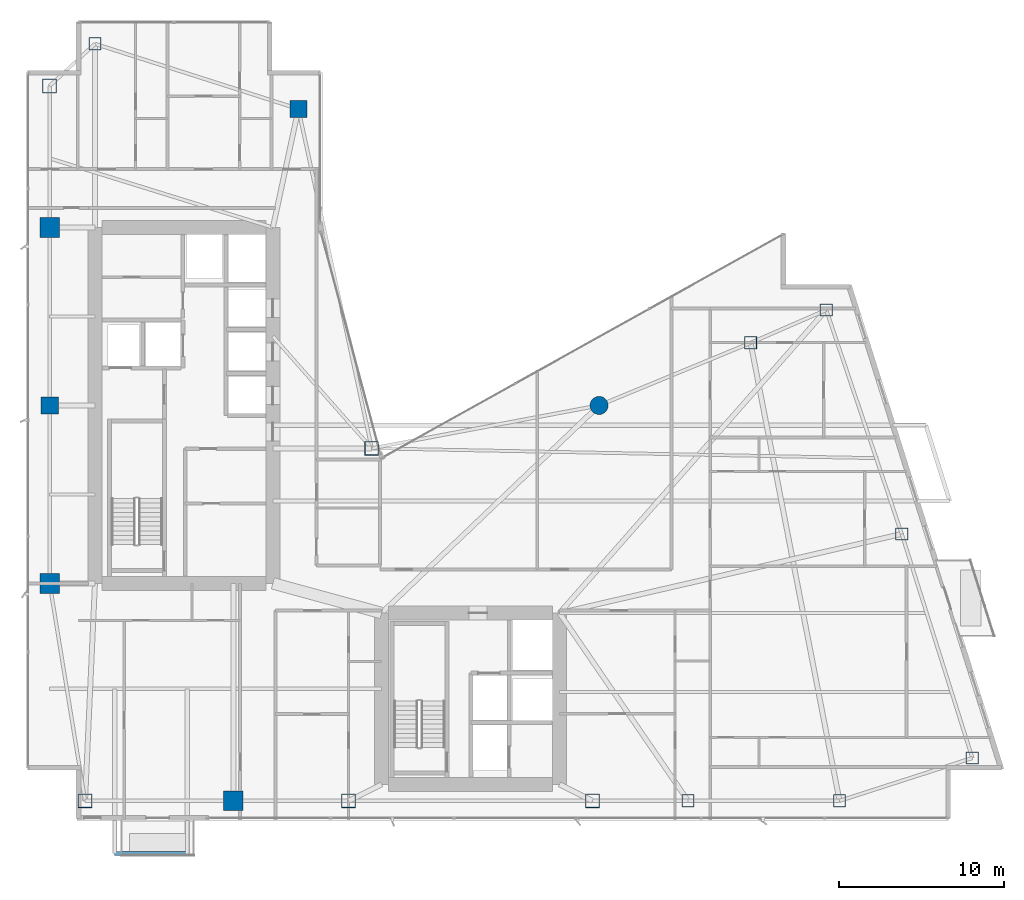
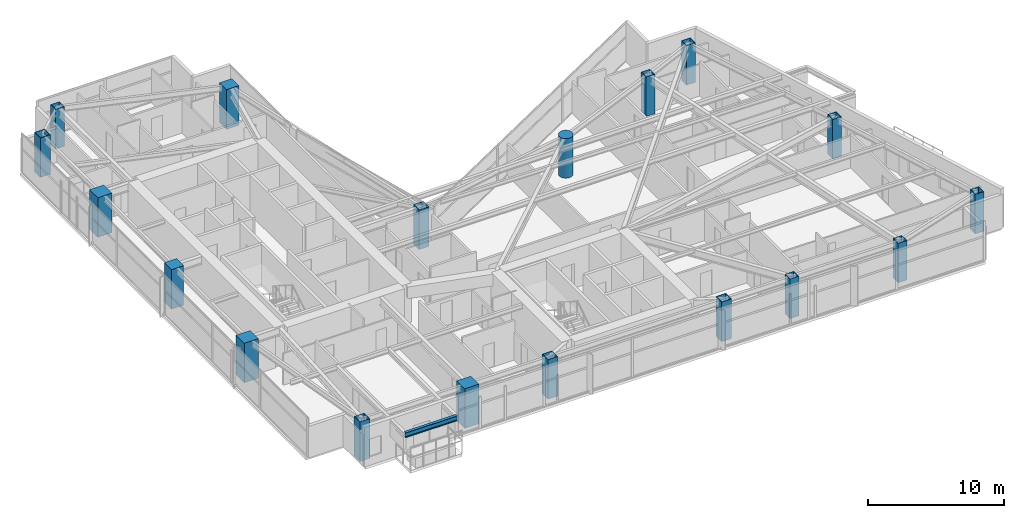
# One storey, part 1 of 28: 18 columns, 1 beam.
"""IFC4 building model written with IfcOpenShell, lengths in metres."""

from ifc_helpers import new_model, si_unit, direction, frame, origin, origin_2d, place, context, subcontext, project, spatial, rectangle, hollow_rectangle, circle, i_section, extrude, material, material_profile, profile_set, type_object, element, save


model = new_model("IFC4")

# Units and contexts
model_context = context("Model", 3, precision=1e-05, world=origin(), true_north=direction((0.0, 1.0)))
body_context = subcontext(model_context, "Body", "Model", "MODEL_VIEW")
ifc_project = project(units=[si_unit("LENGTHUNIT", "METRE"), si_unit("AREAUNIT", "SQUARE_METRE"), si_unit("VOLUMEUNIT", "CUBIC_METRE"), si_unit("PLANEANGLEUNIT", "RADIAN"), si_unit("MASSUNIT", "GRAM", prefix="KILO")], contexts=[model_context])

# Site, building, storey
site_placement = place(None, origin())
site = spatial("IfcSite", under=ifc_project, at=site_placement, CompositionType="ELEMENT")
building_placement = place(site_placement, origin())
building = spatial("IfcBuilding", under=site, at=building_placement, Name="Calvorn Quay Hotel", CompositionType="ELEMENT")
storey_placement = place(building_placement, frame((0.0, 0.0, 131.60009765625)))
storey = spatial("IfcBuildingStorey", under=building, at=storey_placement, Name="L32", CompositionType="ELEMENT", Elevation=131.60009765625)

# Columns
ifc_material_1 = material(Name="Concrete C50", Category="concrete")
ifc_material_profile_1 = material_profile(ifc_material_1, rectangle(XDim=1.050048828125, YDim=1.050048828125, at=origin_2d()), Name="RC1050x1050")
ifc_profile_set_1 = profile_set([ifc_material_profile_1], Name="Concrete C50")
column_type_1 = type_object("IfcColumnType", Name="COL-RC-1050", PredefinedType="COLUMN", material=ifc_profile_set_1)
for number, where, z_axis, x_axis, name in (
    (1, (1.449951171875, 27.60009765625, 0.0), (0.0, 0.0, 1.0), (1.0, 0.0, 0.0), "Column C-W3 (L32)"),
    (2, (16.550048828125, 45.60009765625, 0.0), (0.0, 0.0, 1.0), (1.0, 0.0, 0.0), "Column C-IC1 (L32)"),
):
    element("IfcColumn", number, at=place(storey_placement, frame(where, z_axis=z_axis, x_axis=x_axis)), inside=storey, type_object=column_type_1, Name=name, PredefinedType="COLUMN", context=body_context, shape_type="SweptSolid", body=[
        extrude(rectangle(XDim=1.050048828125, YDim=1.050048828125, at=origin_2d()), origin(), (0.0, 0.0, 1.0), 3.559814453125),
    ])
ifc_material_2 = material(Name="Concrete C50", Category="concrete")
ifc_material_profile_2 = material_profile(ifc_material_2, rectangle(XDim=1.199951171875, YDim=1.199951171875, at=origin_2d()), Name="RC1200x1200")
ifc_profile_set_2 = profile_set([ifc_material_profile_2], Name="Concrete C50")
column_type_2 = type_object("IfcColumnType", Name="COL-RC-1200", PredefinedType="COLUMN", material=ifc_profile_set_2)
for number, where, z_axis, x_axis, name in (
    (3, (1.449951171875, 16.800048828125, 0.0), (0.0, 0.0, 1.0), (1.0, 0.0, 0.0), "Column C-W2 (L32)"),
    (4, (1.449951171875, 38.39990234375, 0.0), (0.0, 0.0, 1.0), (1.0, 0.0, 0.0), "Column C-W4 (L32)"),
    (5, (12.60009765625, 3.60009765625, 0.0), (0.0, 0.0, 1.0), (1.0, 0.0, 0.0), "Column C-S1 (L32)"),
):
    element("IfcColumn", number, at=place(storey_placement, frame(where, z_axis=z_axis, x_axis=x_axis)), inside=storey, type_object=column_type_2, Name=name, PredefinedType="COLUMN", context=body_context, shape_type="SweptSolid", body=[
        extrude(rectangle(XDim=1.199951171875, YDim=1.199951171875, at=origin_2d()), origin(), (0.0, 0.0, 1.0), 3.559814453125),
    ])
ifc_material_3 = material(Name="Concrete C50", Category="concrete")
ifc_material_profile_3 = material_profile(ifc_material_3, circle(Radius=0.550048828125, at=origin_2d()), Name="RCD1100")
ifc_profile_set_3 = profile_set([ifc_material_profile_3], Name="Concrete C50")
column_type_3 = type_object("IfcColumnType", Name="COL-RC-D1100", PredefinedType="COLUMN", material=ifc_profile_set_3)
column_placement = place(storey_placement, frame((34.800048828125, 27.60009765625, 0.0), z_axis=(0.0, 0.0, 1.0), x_axis=(1.0, 0.0, 0.0)))
element("IfcColumn", 6, at=column_placement, inside=storey, type_object=column_type_3, Name="Column C-NC1 (L32)", PredefinedType="COLUMN", context=body_context, shape_type="SweptSolid", body=[
    extrude(circle(Radius=0.550048828125, at=origin_2d()), origin(), (0.0, 0.0, 1.0), 3.559814453125),
])
ifc_material_4 = material(Name="Steel Q390GJC", Category="steel")
ifc_material_profile_4 = material_profile(ifc_material_4, hollow_rectangle(XDim=0.85009765625, YDim=0.85009765625, WallThickness=0.035888671875, at=origin_2d()), Name="BOX850x850x36")
ifc_profile_set_4 = profile_set([ifc_material_profile_4], Name="Steel Q390GJC")
column_type_4 = type_object("IfcColumnType", Name="COL-STL-Z2", PredefinedType="COLUMN", material=ifc_profile_set_4)
for number, where, z_axis, x_axis, name in (
    (7, (3.60009765625, 3.60009765625, 0.0), (0.0, 0.0, 1.0), (1.0, 0.0, 0.0), "Column C-W1 (L32)"),
    (8, (1.449951171875, 47.0, 0.0), (0.0, 0.0, 1.0), (1.0, 0.0, 0.0), "Column C-W5 (L32)"),
    (9, (21.0, 25.0, 0.0), (0.0, 0.0, 1.0), (1.0, 0.0, 0.0), "Column C-IC2 (L32)"),
    (10, (19.60009765625, 3.60009765625, 0.0), (0.0, 0.0, 1.0), (1.0, 0.0, 0.0), "Column C-S2 (L32)"),
    (11, (34.39990234375, 3.60009765625, 0.0), (0.0, 0.0, 1.0), (1.0, 0.0, 0.0), "Column C-S3 (L32)"),
):
    element("IfcColumn", number, at=place(storey_placement, frame(where, z_axis=z_axis, x_axis=x_axis)), inside=storey, type_object=column_type_4, Name=name, PredefinedType="COLUMN", context=body_context, shape_type="SweptSolid", body=[
        extrude(hollow_rectangle(XDim=0.85009765625, YDim=0.85009765625, WallThickness=0.035888671875, at=origin_2d()), origin(), (0.0, 0.0, 1.0), 3.559814453125),
    ])
ifc_material_5 = material(Name="Steel Q390GJC", Category="steel")
ifc_material_profile_5 = material_profile(ifc_material_5, hollow_rectangle(XDim=0.75, YDim=0.75, WallThickness=0.031982421875, at=origin_2d()), Name="BOX750x750x32")
ifc_profile_set_5 = profile_set([ifc_material_profile_5], Name="Steel Q390GJC")
column_type_5 = type_object("IfcColumnType", Name="COL-STL-Z3", PredefinedType="COLUMN", material=ifc_profile_set_5)
for number, where, z_axis, x_axis, name in (
    (12, (4.199951171875, 49.550048828125, 0.0), (0.0, 0.0, 1.0), (1.0, 0.0, 0.0), "Column C-NW1 (L32)"),
    (13, (40.199951171875, 3.60009765625, 0.0), (0.0, 0.0, 1.0), (1.0, 0.0, 0.0), "Column C-S4 (L32)"),
    (14, (49.39990234375, 3.60009765625, 0.0), (0.0, 0.0, 1.0), (1.0, 0.0, 0.0), "Column C-S5 (L32)"),
    (15, (44.0, 31.39990234375, 0.0), (0.0, 0.0, 1.0), (1.0, 0.0, 0.0), "Column C-NC2 (L32)"),
    (16, (57.4609375, 6.199951171875, 0.0), (0.0, 0.0, 1.0), (1.0, 0.0, 0.0), "Column C-ET1 (L32)"),
    (17, (53.176025390625, 19.800048828125, 0.0), (0.0, 0.0, 1.0), (1.0, 0.0, 0.0), "Column C-ET2 (L32)"),
    (18, (48.591064453125, 33.39990234375, 0.0), (0.0, 0.0, 1.0), (1.0, 0.0, 0.0), "Column C-ET3 (L32)"),
):
    element("IfcColumn", number, at=place(storey_placement, frame(where, z_axis=z_axis, x_axis=x_axis)), inside=storey, type_object=column_type_5, Name=name, PredefinedType="COLUMN", context=body_context, shape_type="SweptSolid", body=[
        extrude(hollow_rectangle(XDim=0.75, YDim=0.75, WallThickness=0.031982421875, at=origin_2d()), origin(), (0.0, 0.0, 1.0), 3.559814453125),
    ])

# Beam
ifc_material_6 = material(Name="Steel Q355B", Category="steel")
ifc_material_profile_6 = material_profile(ifc_material_6, i_section(OverallWidth=0.25, OverallDepth=0.449951171875, WebThickness=0.011962890625, FlangeThickness=0.01611328125, FilletRadius=0.01611328125, at=origin_2d()), Name="HN450x250x12x16")
ifc_profile_set_6 = profile_set([ifc_material_profile_6], Name="Steel Q355B")
beam_type = type_object("IfcBeamType", Name="BM-CANT-BALC", PredefinedType="BEAM", material=ifc_profile_set_6)
beam_placement = place(storey_placement, frame((5.39990234375, 0.409912109375, 3.31494140625), z_axis=(1.0, 0.0, 0.0), x_axis=(0.0, 1.0, 0.0)))
element("IfcBeam", 19, at=beam_placement, inside=storey, type_object=beam_type, Name="Beam BCBO-L33-2", PredefinedType="BEAM", context=body_context, shape_type="SweptSolid", body=[
    extrude(i_section(OverallWidth=0.25, OverallDepth=0.449951171875, WebThickness=0.011962890625, FlangeThickness=0.01611328125, FilletRadius=0.01611328125, at=origin_2d()), origin(), (0.0, 0.0, 1.0), 4.400146484375),
])

save(model, "model.ifc")
